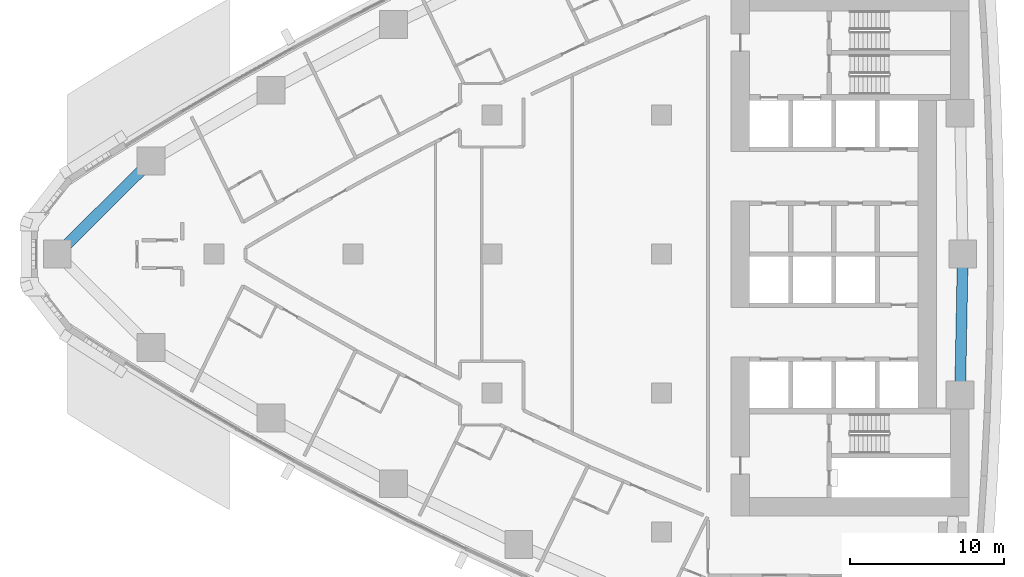
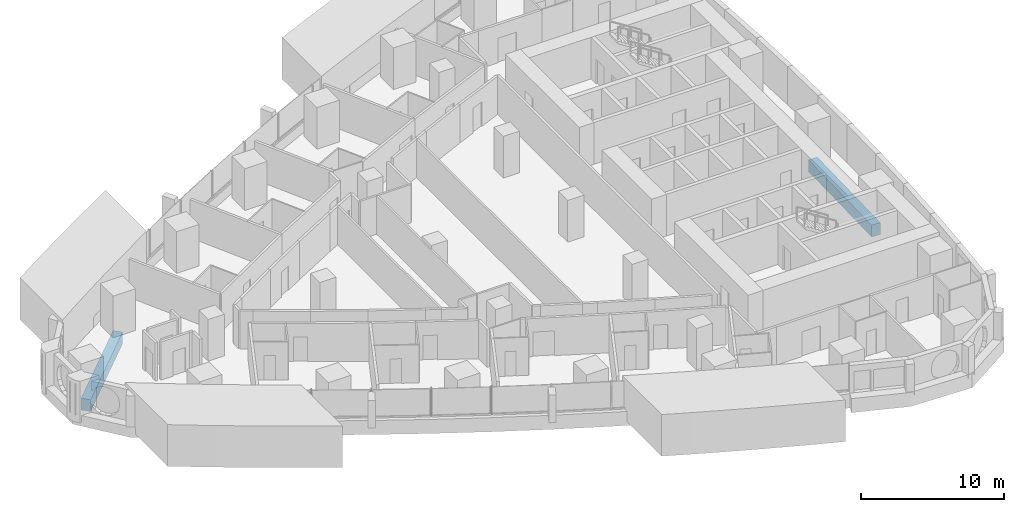
# One storey, part 4 of 19: 2 beams.
"""IFC4 building model written with IfcOpenShell, lengths in metres."""

from ifc_helpers import new_model, si_unit, direction, frame, origin, origin_2d, place, context, subcontext, project, spatial, rectangle, extrude, material, material_profile, profile_set, type_object, element, save


model = new_model("IFC4")

# Units and contexts
model_context = context("Model", 3, precision=1e-05, world=origin(), true_north=direction((0.0, 1.0)))
body_context = subcontext(model_context, "Body", "Model", "MODEL_VIEW")
ifc_project = project(units=[si_unit("LENGTHUNIT", "METRE"), si_unit("AREAUNIT", "SQUARE_METRE"), si_unit("VOLUMEUNIT", "CUBIC_METRE"), si_unit("PLANEANGLEUNIT", "RADIAN"), si_unit("MASSUNIT", "GRAM", prefix="KILO")], contexts=[model_context])

# Site, building, storey
site_placement = place(None, origin())
site = spatial("IfcSite", under=ifc_project, at=site_placement, CompositionType="ELEMENT")
building_placement = place(site_placement, origin())
building = spatial("IfcBuilding", under=site, at=building_placement, Name="Ostrand Prow Hotel Tower", CompositionType="ELEMENT")
storey_placement = place(building_placement, frame((0.0, 0.0, 50.25)))
storey = spatial("IfcBuildingStorey", under=building, at=storey_placement, Name="L10", CompositionType="ELEMENT", Elevation=50.25)

# Beams
ifc_material = material(Name="Concrete C80/95", Category="concrete")
ifc_material_profile = material_profile(ifc_material, rectangle(XDim=0.699951171875, YDim=1.0, at=origin_2d()), Name="RC 700x1000")
ifc_profile_set = profile_set([ifc_material_profile], Name="Concrete C80/95")
beam_type = type_object("IfcBeamType", Name="Edge beam 700x1000 C80/95", PredefinedType="SPANDREL", material=ifc_profile_set)
beam_1_placement = place(storey_placement, frame((64.328369140625, -9.130859375, -0.800048828125), z_axis=(0.018793471688, 0.999823387115, 0.0), x_axis=(-0.999823387115, 0.018793471688, 0.0)))
element("IfcBeam", 1, at=beam_1_placement, inside=storey, type_object=beam_type, Name="Edge beam B2-B3", PredefinedType="SPANDREL", context=body_context, shape_type="SweptSolid", body=[
    extrude(rectangle(XDim=0.699951171875, YDim=1.0, at=origin_2d()), origin(), (0.0, 0.0, 1.0), 9.132568359375),
])
beam_2_placement = place(storey_placement, frame((11.926513671875, 6.0419921875, -0.800048828125), z_axis=(-0.709211674915, -0.70499560294, 0.0), x_axis=(0.70499560294, -0.709211674915, 0.0)))
element("IfcBeam", 2, at=beam_2_placement, inside=storey, type_object=beam_type, Name="Edge beam N6-P", PredefinedType="SPANDREL", context=body_context, shape_type="SweptSolid", body=[
    extrude(rectangle(XDim=0.699951171875, YDim=1.0, at=origin_2d()), origin(), (0.0, 0.0, 1.0), 8.5703125),
])

save(model, "model.ifc")
